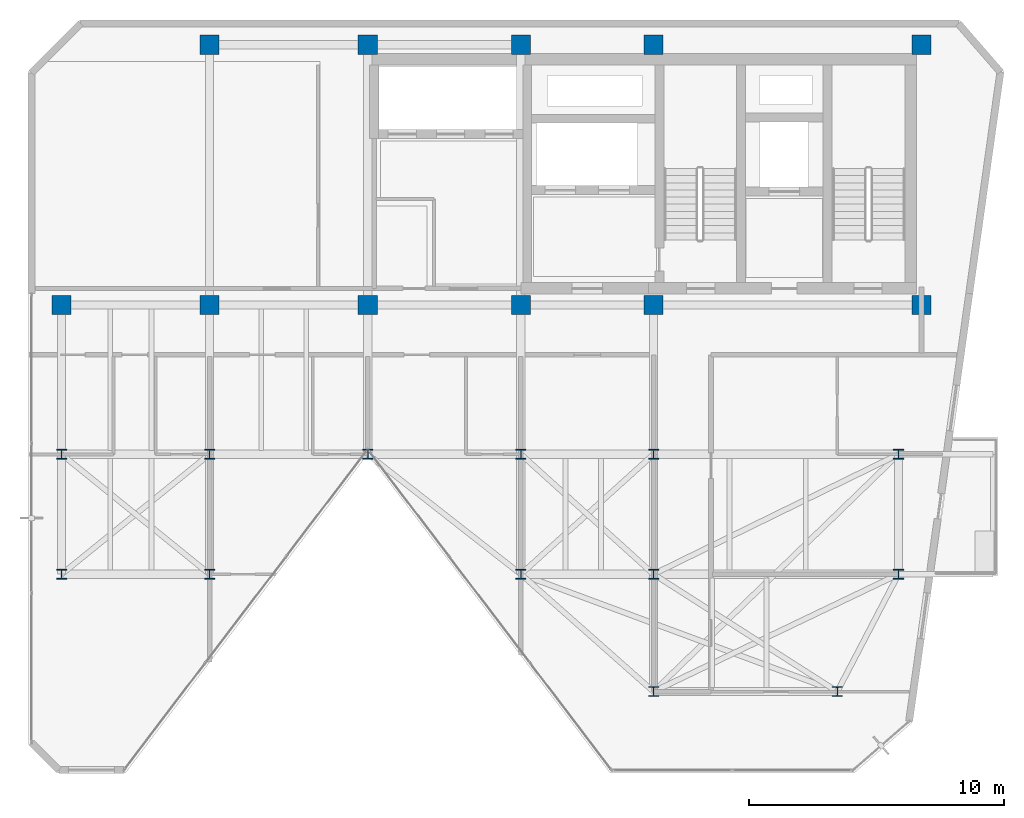
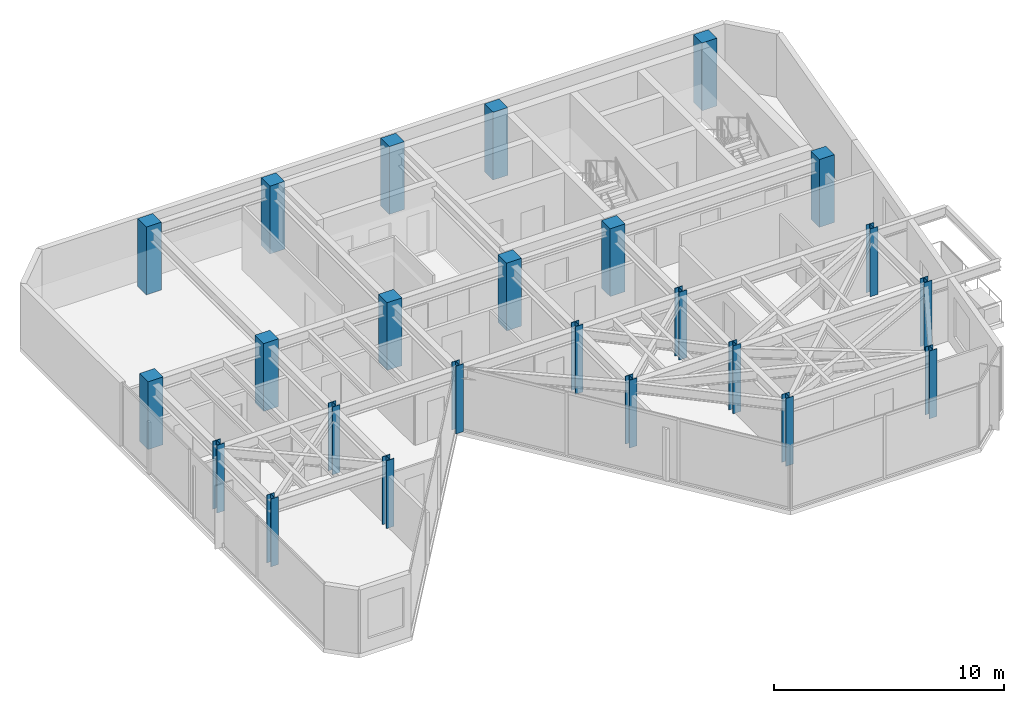
# One storey, part 1 of 17: 24 columns.
"""IFC4 building model written with IfcOpenShell, lengths in metres."""

from ifc_helpers import new_model, si_unit, direction, frame, origin, origin_2d, place, context, subcontext, project, spatial, rectangle, i_section, extrude, material, material_profile, profile_set, type_object, element, save


model = new_model("IFC4")

# Units and contexts
model_context = context("Model", 3, precision=1e-05, world=origin(), true_north=direction((0.0, 1.0)))
body_context = subcontext(model_context, "Body", "Model", "MODEL_VIEW")
ifc_project = project(units=[si_unit("LENGTHUNIT", "METRE"), si_unit("AREAUNIT", "SQUARE_METRE"), si_unit("VOLUMEUNIT", "CUBIC_METRE"), si_unit("PLANEANGLEUNIT", "RADIAN"), si_unit("MASSUNIT", "GRAM", prefix="KILO")], contexts=[model_context])

# Site, building, storey
site_placement = place(None, origin())
site = spatial("IfcSite", under=ifc_project, at=site_placement, CompositionType="ELEMENT")
building_placement = place(site_placement, origin())
building = spatial("IfcBuilding", under=site, at=building_placement, Name="Kravanh Interchange Tower", CompositionType="ELEMENT")
storey_placement = place(building_placement, frame((0.0, 0.0, 282.300048828125)))
storey = spatial("IfcBuildingStorey", under=building, at=storey_placement, Name="L69", CompositionType="ELEMENT", Elevation=282.300048828125)

# Columns
ifc_material_1 = material(Name="Concrete C60/75", Category="concrete")
ifc_material_profile_1 = material_profile(ifc_material_1, rectangle(XDim=0.75, YDim=0.75, at=origin_2d()), Name="RC750X750")
ifc_profile_set_1 = profile_set([ifc_material_profile_1], Name="Concrete C60/75")
column_type_1 = type_object("IfcColumnType", Name="Column RC750X750 Concrete C60/75", PredefinedType="COLUMN", material=ifc_profile_set_1)
for number, where, z_axis, x_axis, name in (
    (1, (66.5, 47.550048828125, 0.0), (0.0, 0.0, 1.0), (1.0, 0.0, 0.0), "L69 Column CS01"),
    (2, (56.0, 47.550048828125, 0.0), (0.0, 0.0, 1.0), (1.0, 0.0, 0.0), "L69 Column CS02"),
    (3, (66.5, 37.35009765625, 0.0), (0.0, 0.0, 1.0), (1.0, 0.0, 0.0), "L69 Column CS03"),
    (4, (56.0, 37.35009765625, 0.0), (0.0, 0.0, 1.0), (1.0, 0.0, 0.0), "L69 Column CS04"),
    (5, (50.800048828125, 47.550048828125, 0.0), (0.0, 0.0, 1.0), (1.0, 0.0, 0.0), "L69 Column CS05"),
    (6, (50.800048828125, 37.35009765625, 0.0), (0.0, 0.0, 1.0), (1.0, 0.0, 0.0), "L69 Column CS06"),
    (7, (44.800048828125, 37.35009765625, 0.0), (0.0, 0.0, 1.0), (1.0, 0.0, 0.0), "L69 Column CS07"),
    (8, (44.800048828125, 47.550048828125, 0.0), (0.0, 0.0, 1.0), (1.0, 0.0, 0.0), "L69 Column CS08"),
    (9, (38.60009765625, 37.35009765625, 0.0), (0.0, 0.0, 1.0), (1.0, 0.0, 0.0), "L69 Column CS09"),
    (10, (38.60009765625, 47.550048828125, 0.0), (0.0, 0.0, 1.0), (1.0, 0.0, 0.0), "L69 Column CS10"),
    (11, (32.800048828125, 37.35009765625, 0.0), (0.0, 0.0, 1.0), (1.0, 0.0, 0.0), "L69 Column CS11"),
):
    element("IfcColumn", number, at=place(storey_placement, frame(where, z_axis=z_axis, x_axis=x_axis)), inside=storey, type_object=column_type_1, Name=name, PredefinedType="COLUMN", context=body_context, shape_type="SweptSolid", body=[
        extrude(rectangle(XDim=0.75, YDim=0.75, at=origin_2d()), origin(), (0.0, 0.0, 1.0), 3.599853515625),
    ])
ifc_material_2 = material(Name="Structural Steel S355", Category="steel")
ifc_material_profile_2 = material_profile(ifc_material_2, i_section(OverallWidth=0.39404296875, OverallDepth=0.3759765625, WebThickness=0.017333984375, FlangeThickness=0.027587890625, FilletRadius=0.030029296875, at=origin_2d()), Name="W14X145")
ifc_profile_set_2 = profile_set([ifc_material_profile_2], Name="Structural Steel S355")
column_type_2 = type_object("IfcColumnType", Name="Column W14X145 Structural Steel S355", PredefinedType="COLUMN", material=ifc_profile_set_2)
for number, where, z_axis, x_axis, name in (
    (12, (44.800048828125, 31.5, 0.0), (0.0, 0.0, 1.0), (1.0, 0.0, 0.0), "L69 Column CH_E1"),
    (13, (50.800048828125, 31.5, 0.0), (0.0, 0.0, 1.0), (1.0, 0.0, 0.0), "L69 Column CH_E2"),
    (14, (56.0, 31.5, 0.0), (0.0, 0.0, 1.0), (1.0, 0.0, 0.0), "L69 Column CH_E3"),
    (15, (65.60009765625, 31.5, 0.0), (0.0, 0.0, 1.0), (1.0, 0.0, 0.0), "L69 Column CH_E4"),
    (16, (38.60009765625, 31.5, 0.0), (0.0, 0.0, 1.0), (1.0, 0.0, 0.0), "L69 Column CH_E5"),
    (17, (32.800048828125, 31.5, 0.0), (0.0, 0.0, 1.0), (1.0, 0.0, 0.0), "L69 Column CH_E6"),
    (18, (38.60009765625, 26.800048828125, 0.0), (0.0, 0.0, 1.0), (1.0, 0.0, 0.0), "L69 Column CH_S1"),
    (19, (50.800048828125, 26.800048828125, 0.0), (0.0, 0.0, 1.0), (1.0, 0.0, 0.0), "L69 Column CH_S2"),
    (20, (56.0, 26.800048828125, 0.0), (0.0, 0.0, 1.0), (1.0, 0.0, 0.0), "L69 Column CH_S3"),
    (21, (65.60009765625, 26.800048828125, 0.0), (0.0, 0.0, 1.0), (1.0, 0.0, 0.0), "L69 Column CH_S4"),
    (22, (56.0, 22.199951171875, 0.0), (0.0, 0.0, 1.0), (1.0, 0.0, 0.0), "L69 Column CH_S5"),
    (23, (63.199951171875, 22.199951171875, 0.0), (0.0, 0.0, 1.0), (1.0, 0.0, 0.0), "L69 Column CH_S6"),
    (24, (32.800048828125, 26.800048828125, 0.0), (0.0, 0.0, 1.0), (1.0, 0.0, 0.0), "L69 Column CH_W3"),
):
    element("IfcColumn", number, at=place(storey_placement, frame(where, z_axis=z_axis, x_axis=x_axis)), inside=storey, type_object=column_type_2, Name=name, PredefinedType="COLUMN", context=body_context, shape_type="SweptSolid", body=[
        extrude(i_section(OverallWidth=0.39404296875, OverallDepth=0.3759765625, WebThickness=0.017333984375, FlangeThickness=0.027587890625, FilletRadius=0.030029296875, at=origin_2d()), origin(), (0.0, 0.0, 1.0), 3.599853515625),
    ])

save(model, "model.ifc")
